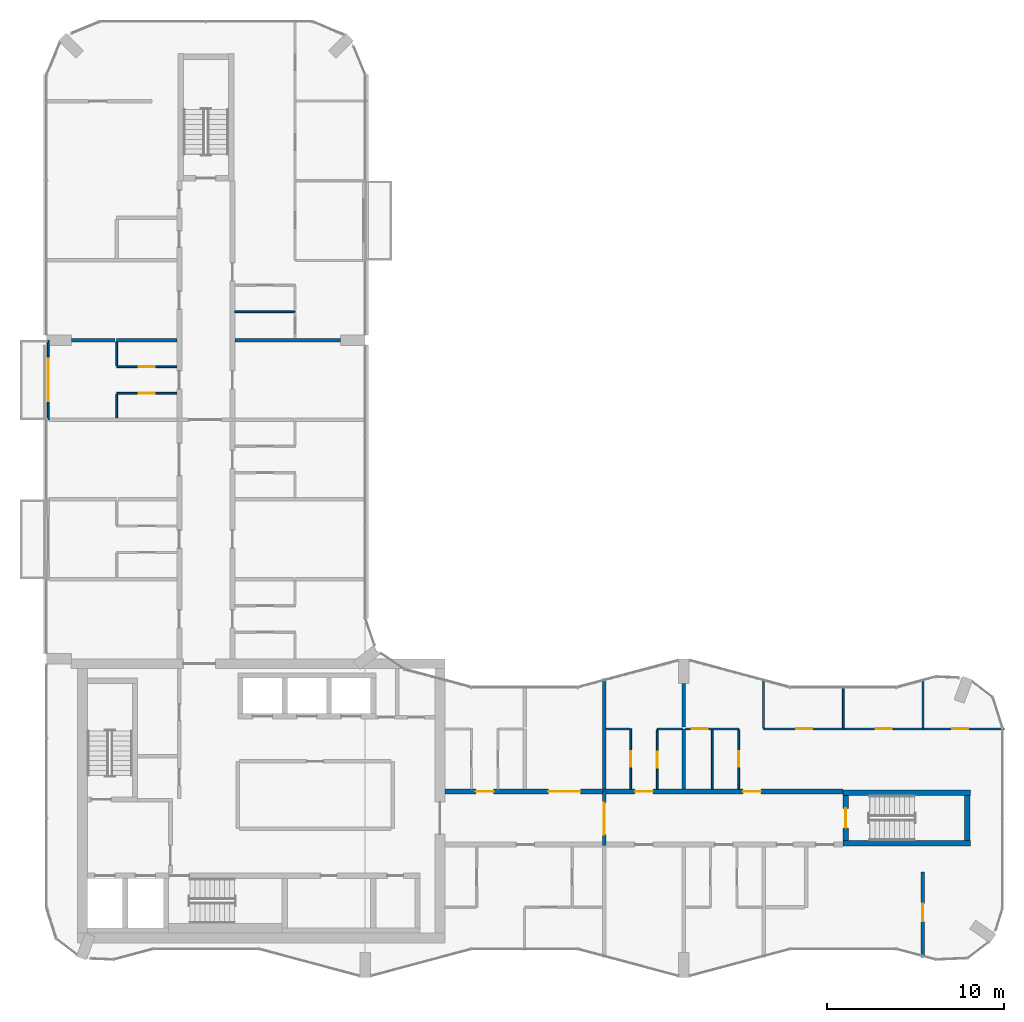
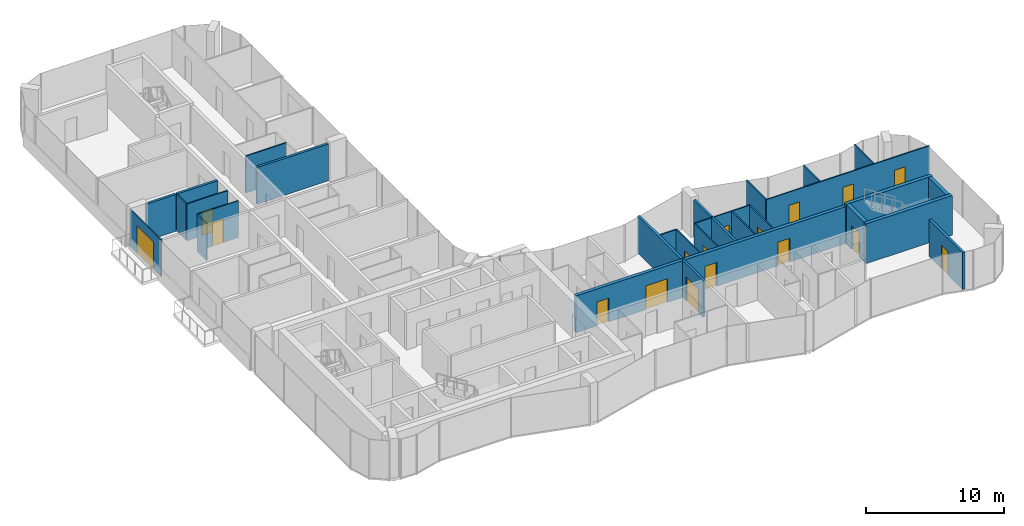
# One storey, part 12 of 16: 30 walls, 17 doors, 17 openings.
"""IFC4 building model written with IfcOpenShell, lengths in metres."""

from ifc_helpers import new_model, si_unit, direction, frame, frame_2d, origin, place, context, subcontext, project, spatial, rectangle, extrude, material, layer, layer_set, type_object, element, fill, save


model = new_model("IFC4")

# Units and contexts
model_context = context("Model", 3, precision=1e-05, world=origin(), true_north=direction((0.0, 1.0)))
body_context = subcontext(model_context, "Body", "Model", "MODEL_VIEW")
ifc_project = project(units=[si_unit("LENGTHUNIT", "METRE"), si_unit("AREAUNIT", "SQUARE_METRE"), si_unit("VOLUMEUNIT", "CUBIC_METRE"), si_unit("PLANEANGLEUNIT", "RADIAN"), si_unit("MASSUNIT", "GRAM", prefix="KILO")], contexts=[model_context])

# Site, building, storey
site_placement = place(None, origin())
site = spatial("IfcSite", under=ifc_project, at=site_placement, CompositionType="ELEMENT")
building_placement = place(site_placement, origin())
building = spatial("IfcBuilding", under=site, at=building_placement, Name="Plateau Cross Towers", CompositionType="ELEMENT")
storey_placement = place(building_placement, frame((0.0, 0.0, 211.89990234375)))
storey = spatial("IfcBuildingStorey", under=building, at=storey_placement, Name="L55", CompositionType="ELEMENT", Elevation=211.89990234375)

# Wall, opening, door
ifc_material_1 = material(Name="Aluminium framed glazing", Category="aluminium")
ifc_layer_1 = layer(ifc_material_1, 0.10009765625)
ifc_layer_set_1 = layer_set([ifc_layer_1], Name="Aluminium framed glazing")
wall_type_1 = type_object("IfcWallType", Name="Balcony screen wall 100", PredefinedType="STANDARD", material=ifc_layer_set_1)
wall_1_placement = place(storey_placement, frame((0.10009765625, 31.5, 0.0), z_axis=(0.0, 0.0, 1.0), x_axis=(0.0, 1.0, 0.0)))
wall_1 = element("IfcWall", 1, at=wall_1_placement, inside=storey, type_object=wall_type_1, Name="Balcony screen wall A-BAL-L55-02", PredefinedType="STANDARD", context=body_context, shape_type="SweptSolid", body=[
    extrude(rectangle(XDim=4.5, YDim=0.10009765625, at=frame_2d((2.25, 0.0))), origin(), (0.0, 0.0, 1.0), 3.25),
])
opening_1_placement = place(wall_1_placement, frame((1.050048828125, 0.0, 0.0)))
opening_1 = element("IfcOpeningElement", 2, at=opening_1_placement, cuts=wall_1, Name="Opening D-B24", PredefinedType="OPENING", context=body_context, shape_type="SweptSolid", body=[
    extrude(rectangle(XDim=2.39990234375, YDim=2.39990234375, at=frame_2d((1.199951171875, 1.199951171875))), frame((0.0, 0.06005859375, 0.0), z_axis=(0.0, -1.0, 0.0), x_axis=(1.0, 0.0, 0.0)), (0.0, 0.0, 1.0), 0.1201171875),
])
ifc_material_2 = material(Name="Aluminium frame, double glazing", Category="aluminium")
door_type_1 = type_object("IfcDoorType", Name="Balcony sliding door 2400", OperationType="NOTDEFINED", PredefinedType="DOOR", material=ifc_material_2)
door_1_placement = place(opening_1_placement, origin())
door_1 = element("IfcDoor", 3, at=door_1_placement, inside=storey, type_object=door_type_1, Name="Balcony door A-BAL-L55-02", OperationType="SINGLE_SWING_LEFT", OverallHeight=2.39990234375, OverallWidth=2.39990234375, PredefinedType="DOOR", context=body_context, shape_type="SweptSolid", body=[
    extrude(rectangle(XDim=2.39990234375, YDim=2.39990234375, at=frame_2d((1.199951171875, 1.199951171875))), frame((0.0, 0.02490234375, 0.0), z_axis=(0.0, -1.0, 0.0), x_axis=(1.0, 0.0, 0.0)), (0.0, 0.0, 1.0), 0.050048828125),
])
fill(opening_1, door_1)

# Wall, openings, doors
ifc_material_3 = material(Name="Concrete C60/75", Category="concrete")
ifc_layer_2 = layer(ifc_material_3, 0.27490234375)
ifc_layer_set_2 = layer_set([ifc_layer_2], Name="Concrete C60/75")
wall_type_2 = type_object("IfcWallType", Name="Corridor wall 275", PredefinedType="SHEAR", material=ifc_layer_set_2)
wall_2_placement = place(storey_placement, frame((22.5, 10.5, 0.0), z_axis=(0.0, 0.0, 1.0), x_axis=(1.0, 0.0, 0.0)))
wall_2 = element("IfcWall", 4, at=wall_2_placement, inside=storey, type_object=wall_type_2, Name="A-cw-S2@L55", PredefinedType="SHEAR", context=body_context, shape_type="SweptSolid", body=[
    extrude(rectangle(XDim=22.5, YDim=0.27490234375, at=frame_2d((11.25, 0.0))), origin(), (0.0, 0.0, 1.0), 3.25),
])
opening_2_placement = place(wall_2_placement, frame((1.75, 0.0, 0.0)))
opening_2 = element("IfcOpeningElement", 5, at=opening_2_placement, cuts=wall_2, Name="Opening 55-06", PredefinedType="OPENING", context=body_context, shape_type="SweptSolid", body=[
    extrude(rectangle(XDim=1.0, YDim=2.10009765625, at=frame_2d((0.5, 1.050048828125))), frame((0.0, 0.1474609375, 0.0), z_axis=(0.0, -1.0, 0.0), x_axis=(1.0, 0.0, 0.0)), (0.0, 0.0, 1.0), 0.294921875),
])
opening_3_placement = place(wall_2_placement, frame((5.85009765625, 0.0, 0.0)))
opening_3 = element("IfcOpeningElement", 6, at=opening_3_placement, cuts=wall_2, Name="Opening 55-07", PredefinedType="OPENING", context=body_context, shape_type="SweptSolid", body=[
    extrude(rectangle(XDim=1.800048828125, YDim=2.10009765625, at=frame_2d((0.89990234375, 1.050048828125))), frame((0.0, 0.1474609375, 0.0), z_axis=(0.0, -1.0, 0.0), x_axis=(1.0, 0.0, 0.0)), (0.0, 0.0, 1.0), 0.294921875),
])
opening_4_placement = place(wall_2_placement, frame((10.75, 0.0, 0.0)))
opening_4 = element("IfcOpeningElement", 7, at=opening_4_placement, cuts=wall_2, Name="Opening 55-08", PredefinedType="OPENING", context=body_context, shape_type="SweptSolid", body=[
    extrude(rectangle(XDim=1.0, YDim=2.10009765625, at=frame_2d((0.5, 1.050048828125))), frame((0.0, 0.1474609375, 0.0), z_axis=(0.0, -1.0, 0.0), x_axis=(1.0, 0.0, 0.0)), (0.0, 0.0, 1.0), 0.294921875),
])
opening_5_placement = place(wall_2_placement, frame((16.85009765625, 0.0, 0.0)))
opening_5 = element("IfcOpeningElement", 8, at=opening_5_placement, cuts=wall_2, Name="Opening 55-09", PredefinedType="OPENING", context=body_context, shape_type="SweptSolid", body=[
    extrude(rectangle(XDim=1.0, YDim=2.10009765625, at=frame_2d((0.5, 1.050048828125))), frame((0.0, 0.1474609375, 0.0), z_axis=(0.0, -1.0, 0.0), x_axis=(1.0, 0.0, 0.0)), (0.0, 0.0, 1.0), 0.294921875),
])
ifc_material_4 = material(Name="Timber, fire-resisting leaf", Category="wood")
door_type_2 = type_object("IfcDoorType", Name="Flat entrance door 1000", OperationType="NOTDEFINED", PredefinedType="DOOR", material=ifc_material_4)
door_2_placement = place(opening_2_placement, origin())
door_2 = element("IfcDoor", 9, at=door_2_placement, inside=storey, type_object=door_type_2, Name="Door 55-06", OperationType="SINGLE_SWING_LEFT", OverallHeight=2.10009765625, OverallWidth=1.0, PredefinedType="DOOR", context=body_context, shape_type="SweptSolid", body=[
    extrude(rectangle(XDim=1.0, YDim=2.10009765625, at=frame_2d((0.5, 1.050048828125))), frame((0.0, 0.02490234375, 0.0), z_axis=(0.0, -1.0, 0.0), x_axis=(1.0, 0.0, 0.0)), (0.0, 0.0, 1.0), 0.050048828125),
])
fill(opening_2, door_2)
door_3_placement = place(opening_4_placement, origin())
door_3 = element("IfcDoor", 10, at=door_3_placement, inside=storey, type_object=door_type_2, Name="Door 55-08", OperationType="SINGLE_SWING_LEFT", OverallHeight=2.10009765625, OverallWidth=1.0, PredefinedType="DOOR", context=body_context, shape_type="SweptSolid", body=[
    extrude(rectangle(XDim=1.0, YDim=2.10009765625, at=frame_2d((0.5, 1.050048828125))), frame((0.0, 0.02490234375, 0.0), z_axis=(0.0, -1.0, 0.0), x_axis=(1.0, 0.0, 0.0)), (0.0, 0.0, 1.0), 0.050048828125),
])
fill(opening_4, door_3)
door_4_placement = place(opening_5_placement, origin())
door_4 = element("IfcDoor", 11, at=door_4_placement, inside=storey, type_object=door_type_2, Name="Door 55-09", OperationType="SINGLE_SWING_RIGHT", OverallHeight=2.10009765625, OverallWidth=1.0, PredefinedType="DOOR", context=body_context, shape_type="SweptSolid", body=[
    extrude(rectangle(XDim=1.0, YDim=2.10009765625, at=frame_2d((0.5, 1.050048828125))), frame((0.0, 0.02490234375, 0.0), z_axis=(0.0, -1.0, 0.0), x_axis=(1.0, 0.0, 0.0)), (0.0, 0.0, 1.0), 0.050048828125),
])
fill(opening_5, door_4)
ifc_material_5 = material(Name="Timber, fire-resisting leaves", Category="wood")
door_type_3 = type_object("IfcDoorType", Name="Flat floor fire door pair 1800", OperationType="NOTDEFINED", PredefinedType="DOOR", material=ifc_material_5)
door_5_placement = place(opening_3_placement, origin())
door_5 = element("IfcDoor", 12, at=door_5_placement, inside=storey, type_object=door_type_3, Name="Door 55-07", OperationType="SINGLE_SWING_LEFT", OverallHeight=2.10009765625, OverallWidth=1.800048828125, PredefinedType="DOOR", context=body_context, shape_type="SweptSolid", body=[
    extrude(rectangle(XDim=1.800048828125, YDim=2.10009765625, at=frame_2d((0.89990234375, 1.050048828125))), frame((0.0, 0.02490234375, 0.0), z_axis=(0.0, -1.0, 0.0), x_axis=(1.0, 0.0, 0.0)), (0.0, 0.0, 1.0), 0.050048828125),
])
fill(opening_3, door_5)

# Walls
ifc_material_6 = material(Name="Gypsum board on steel studs", Category="steel")
ifc_layer_3 = layer(ifc_material_6, 0.10009765625)
ifc_layer_set_3 = layer_set([ifc_layer_3], Name="Gypsum board on steel studs")
wall_type_3 = type_object("IfcWallType", Name="Flat partition 100", PredefinedType="PARTITIONING", material=ifc_layer_set_3)
wall_3_placement = place(storey_placement, frame((32.949951171875, 14.03759765625, 0.0), z_axis=(0.0, 0.0, 1.0), x_axis=(-1.0, 0.0, 0.0)))
element("IfcWall", 13, at=wall_3_placement, inside=storey, type_object=wall_type_3, Name="Partition wall", PredefinedType="PARTITIONING", context=body_context, shape_type="SweptSolid", body=[
    extrude(rectangle(XDim=1.349853515625, YDim=0.10009765625, at=frame_2d((0.6748046875, 0.0))), origin(), (0.0, 0.0, 1.0), 3.25),
])
wall_4_placement = place(storey_placement, frame((35.89990234375, 14.03759765625, 0.0), z_axis=(0.0, 0.0, 1.0), x_axis=(-1.0, 0.0, 0.0)))
element("IfcWall", 14, at=wall_4_placement, inside=storey, type_object=wall_type_3, Name="Partition wall", PredefinedType="PARTITIONING", context=body_context, shape_type="SweptSolid", body=[
    extrude(rectangle(XDim=1.39990234375, YDim=0.10009765625, at=frame_2d((0.699951171875, 0.0))), origin(), (0.0, 0.0, 1.0), 3.25),
])

# Wall, opening, door
wall_5_placement = place(storey_placement, frame((39.10009765625, 14.03759765625, 0.0), z_axis=(0.0, 0.0, 1.0), x_axis=(-1.0, 0.0, 0.0)))
wall_5 = element("IfcWall", 15, at=wall_5_placement, inside=storey, type_object=wall_type_3, Name="Partition wall", PredefinedType="PARTITIONING", context=body_context, shape_type="SweptSolid", body=[
    extrude(rectangle(XDim=3.0, YDim=0.10009765625, at=frame_2d((1.5, 0.0))), origin(), (0.0, 0.0, 1.0), 3.25),
])
opening_6_placement = place(wall_5_placement, frame((1.75, 0.0, 0.0)))
opening_6 = element("IfcOpeningElement", 16, at=opening_6_placement, cuts=wall_5, Name="Opening 55-35", PredefinedType="OPENING", context=body_context, shape_type="SweptSolid", body=[
    extrude(rectangle(XDim=0.89990234375, YDim=2.10009765625, at=frame_2d((0.449951171875, 1.050048828125))), frame((0.0, 0.06005859375, 0.0), z_axis=(0.0, -1.0, 0.0), x_axis=(1.0, 0.0, 0.0)), (0.0, 0.0, 1.0), 0.1201171875),
])
ifc_material_7 = material(Name="Timber leaf", Category="wood")
door_type_4 = type_object("IfcDoorType", Name="Flat room door 900", OperationType="NOTDEFINED", PredefinedType="DOOR", material=ifc_material_7)
door_6_placement = place(opening_6_placement, origin())
door_6 = element("IfcDoor", 17, at=door_6_placement, inside=storey, type_object=door_type_4, Name="Door 55-35", OperationType="SINGLE_SWING_RIGHT", OverallHeight=2.10009765625, OverallWidth=0.89990234375, PredefinedType="DOOR", context=body_context, shape_type="SweptSolid", body=[
    extrude(rectangle(XDim=0.89990234375, YDim=2.10009765625, at=frame_2d((0.449951171875, 1.050048828125))), frame((0.0, 0.02490234375, 0.0), z_axis=(0.0, -1.0, 0.0), x_axis=(1.0, 0.0, 0.0)), (0.0, 0.0, 1.0), 0.050048828125),
])
fill(opening_6, door_6)

# Wall, openings, doors
wall_6_placement = place(storey_placement, frame((40.5, 14.03759765625, 0.0), z_axis=(0.0, 0.0, 1.0), x_axis=(1.0, 0.0, 0.0)))
wall_6 = element("IfcWall", 18, at=wall_6_placement, inside=storey, type_object=wall_type_3, Name="Partition wall", PredefinedType="PARTITIONING", context=body_context, shape_type="SweptSolid", body=[
    extrude(rectangle(XDim=13.580078125, YDim=0.10009765625, at=frame_2d((6.7900390625, 0.0))), origin(), (0.0, 0.0, 1.0), 3.25),
])
opening_7_placement = place(wall_6_placement, frame((1.85009765625, 0.0, 0.0)))
opening_7 = element("IfcOpeningElement", 19, at=opening_7_placement, cuts=wall_6, Name="Opening 55-37", PredefinedType="OPENING", context=body_context, shape_type="SweptSolid", body=[
    extrude(rectangle(XDim=0.89990234375, YDim=2.10009765625, at=frame_2d((0.449951171875, 1.050048828125))), frame((0.0, 0.06005859375, 0.0), z_axis=(0.0, -1.0, 0.0), x_axis=(1.0, 0.0, 0.0)), (0.0, 0.0, 1.0), 0.1201171875),
])
opening_8_placement = place(wall_6_placement, frame((6.35009765625, 0.0, 0.0)))
opening_8 = element("IfcOpeningElement", 20, at=opening_8_placement, cuts=wall_6, Name="Opening 55-38", PredefinedType="OPENING", context=body_context, shape_type="SweptSolid", body=[
    extrude(rectangle(XDim=0.89990234375, YDim=2.10009765625, at=frame_2d((0.449951171875, 1.050048828125))), frame((0.0, 0.06005859375, 0.0), z_axis=(0.0, -1.0, 0.0), x_axis=(1.0, 0.0, 0.0)), (0.0, 0.0, 1.0), 0.1201171875),
])
opening_9_placement = place(wall_6_placement, frame((10.64990234375, 0.0, 0.0)))
opening_9 = element("IfcOpeningElement", 21, at=opening_9_placement, cuts=wall_6, Name="Opening 55-39", PredefinedType="OPENING", context=body_context, shape_type="SweptSolid", body=[
    extrude(rectangle(XDim=0.89990234375, YDim=2.10009765625, at=frame_2d((0.449951171875, 1.050048828125))), frame((0.0, 0.06005859375, 0.0), z_axis=(0.0, -1.0, 0.0), x_axis=(1.0, 0.0, 0.0)), (0.0, 0.0, 1.0), 0.1201171875),
])
door_7_placement = place(opening_7_placement, origin())
door_7 = element("IfcDoor", 22, at=door_7_placement, inside=storey, type_object=door_type_4, Name="Door 55-37", OperationType="SINGLE_SWING_LEFT", OverallHeight=2.10009765625, OverallWidth=0.89990234375, PredefinedType="DOOR", context=body_context, shape_type="SweptSolid", body=[
    extrude(rectangle(XDim=0.89990234375, YDim=2.10009765625, at=frame_2d((0.449951171875, 1.050048828125))), frame((0.0, 0.02490234375, 0.0), z_axis=(0.0, -1.0, 0.0), x_axis=(1.0, 0.0, 0.0)), (0.0, 0.0, 1.0), 0.050048828125),
])
fill(opening_7, door_7)
door_8_placement = place(opening_8_placement, origin())
door_8 = element("IfcDoor", 23, at=door_8_placement, inside=storey, type_object=door_type_4, Name="Door 55-38", OperationType="SINGLE_SWING_RIGHT", OverallHeight=2.10009765625, OverallWidth=0.89990234375, PredefinedType="DOOR", context=body_context, shape_type="SweptSolid", body=[
    extrude(rectangle(XDim=0.89990234375, YDim=2.10009765625, at=frame_2d((0.449951171875, 1.050048828125))), frame((0.0, 0.02490234375, 0.0), z_axis=(0.0, -1.0, 0.0), x_axis=(1.0, 0.0, 0.0)), (0.0, 0.0, 1.0), 0.050048828125),
])
fill(opening_8, door_8)
door_9_placement = place(opening_9_placement, origin())
door_9 = element("IfcDoor", 24, at=door_9_placement, inside=storey, type_object=door_type_4, Name="Door 55-39", OperationType="SINGLE_SWING_RIGHT", OverallHeight=2.10009765625, OverallWidth=0.89990234375, PredefinedType="DOOR", context=body_context, shape_type="SweptSolid", body=[
    extrude(rectangle(XDim=0.89990234375, YDim=2.10009765625, at=frame_2d((0.449951171875, 1.050048828125))), frame((0.0, 0.02490234375, 0.0), z_axis=(0.0, -1.0, 0.0), x_axis=(1.0, 0.0, 0.0)), (0.0, 0.0, 1.0), 0.050048828125),
])
fill(opening_9, door_9)

# Wall, opening, door
wall_7_placement = place(storey_placement, frame((7.362548828125, 33.0, 0.0), z_axis=(0.0, 0.0, 1.0), x_axis=(-1.0, 0.0, 0.0)))
wall_7 = element("IfcWall", 25, at=wall_7_placement, inside=storey, type_object=wall_type_3, Name="Partition wall", PredefinedType="PARTITIONING", context=body_context, shape_type="SweptSolid", body=[
    extrude(rectangle(XDim=3.400146484375, YDim=0.10009765625, at=frame_2d((1.7001953125, 0.0))), origin(), (0.0, 0.0, 1.0), 3.25),
])
opening_10_placement = place(wall_7_placement, frame((1.25, 0.0, 0.0)))
opening_10 = element("IfcOpeningElement", 26, at=opening_10_placement, cuts=wall_7, Name="Opening 55-42", PredefinedType="OPENING", context=body_context, shape_type="SweptSolid", body=[
    extrude(rectangle(XDim=0.89990234375, YDim=2.10009765625, at=frame_2d((0.449951171875, 1.050048828125))), frame((0.0, 0.06005859375, 0.0), z_axis=(0.0, -1.0, 0.0), x_axis=(1.0, 0.0, 0.0)), (0.0, 0.0, 1.0), 0.1201171875),
])
door_10_placement = place(opening_10_placement, origin())
door_10 = element("IfcDoor", 27, at=door_10_placement, inside=storey, type_object=door_type_4, Name="Door 55-42", OperationType="SINGLE_SWING_LEFT", OverallHeight=2.10009765625, OverallWidth=0.89990234375, PredefinedType="DOOR", context=body_context, shape_type="SweptSolid", body=[
    extrude(rectangle(XDim=0.89990234375, YDim=2.10009765625, at=frame_2d((0.449951171875, 1.050048828125))), frame((0.0, 0.02490234375, 0.0), z_axis=(0.0, -1.0, 0.0), x_axis=(1.0, 0.0, 0.0)), (0.0, 0.0, 1.0), 0.050048828125),
])
fill(opening_10, door_10)

wall_8_placement = place(storey_placement, frame((3.96240234375, 34.5, 0.0), z_axis=(0.0, 0.0, 1.0), x_axis=(1.0, 0.0, 0.0)))
wall_8 = element("IfcWall", 28, at=wall_8_placement, inside=storey, type_object=wall_type_3, Name="Partition wall", PredefinedType="PARTITIONING", context=body_context, shape_type="SweptSolid", body=[
    extrude(rectangle(XDim=3.400146484375, YDim=0.10009765625, at=frame_2d((1.7001953125, 0.0))), origin(), (0.0, 0.0, 1.0), 3.25),
])
opening_11_placement = place(wall_8_placement, frame((1.25, 0.0, 0.0)))
opening_11 = element("IfcOpeningElement", 29, at=opening_11_placement, cuts=wall_8, Name="Opening 55-43", PredefinedType="OPENING", context=body_context, shape_type="SweptSolid", body=[
    extrude(rectangle(XDim=0.89990234375, YDim=2.10009765625, at=frame_2d((0.449951171875, 1.050048828125))), frame((0.0, 0.06005859375, 0.0), z_axis=(0.0, -1.0, 0.0), x_axis=(1.0, 0.0, 0.0)), (0.0, 0.0, 1.0), 0.1201171875),
])
door_11_placement = place(opening_11_placement, origin())
door_11 = element("IfcDoor", 30, at=door_11_placement, inside=storey, type_object=door_type_4, Name="Door 55-43", OperationType="SINGLE_SWING_LEFT", OverallHeight=2.10009765625, OverallWidth=0.89990234375, PredefinedType="DOOR", context=body_context, shape_type="SweptSolid", body=[
    extrude(rectangle(XDim=0.89990234375, YDim=2.10009765625, at=frame_2d((0.449951171875, 1.050048828125))), frame((0.0, 0.02490234375, 0.0), z_axis=(0.0, -1.0, 0.0), x_axis=(1.0, 0.0, 0.0)), (0.0, 0.0, 1.0), 0.050048828125),
])
fill(opening_11, door_11)

# Walls
wall_9_placement = place(storey_placement, frame((14.03759765625, 37.60009765625, 0.0), z_axis=(0.0, 0.0, 1.0), x_axis=(-1.0, 0.0, 0.0)))
element("IfcWall", 31, at=wall_9_placement, inside=storey, type_object=wall_type_3, Name="Partition wall", PredefinedType="PARTITIONING", context=body_context, shape_type="SweptSolid", body=[
    extrude(rectangle(XDim=3.400146484375, YDim=0.10009765625, at=frame_2d((1.7001953125, 0.0))), origin(), (0.0, 0.0, 1.0), 3.25),
])
for number, where, z_axis, x_axis, name in (
    (32, (3.96240234375, 32.949951171875, 0.0), (0.0, 0.0, 1.0), (0.0, -1.0, 0.0), "Partition wall"),
    (33, (3.96240234375, 35.89990234375, 0.0), (0.0, 0.0, 1.0), (0.0, -1.0, 0.0), "Partition wall"),
):
    element("IfcWall", number, at=place(storey_placement, frame(where, z_axis=z_axis, x_axis=x_axis)), inside=storey, type_object=wall_type_3, Name=name, PredefinedType="PARTITIONING", context=body_context, shape_type="SweptSolid", body=[
        extrude(rectangle(XDim=1.349853515625, YDim=0.10009765625, at=frame_2d((0.6748046875, 0.0))), origin(), (0.0, 0.0, 1.0), 3.25),
    ])

# Wall, opening, door
wall_10_placement = place(storey_placement, frame((33.0, 10.637451171875, 0.0), z_axis=(0.0, 0.0, 1.0), x_axis=(0.0, 1.0, 0.0)))
wall_10 = element("IfcWall", 34, at=wall_10_placement, inside=storey, type_object=wall_type_3, Name="Partition wall", PredefinedType="PARTITIONING", context=body_context, shape_type="SweptSolid", body=[
    extrude(rectangle(XDim=3.400146484375, YDim=0.10009765625, at=frame_2d((1.7001953125, 0.0))), origin(), (0.0, 0.0, 1.0), 3.25),
])
opening_12_placement = place(wall_10_placement, frame((1.25, 0.0, 0.0)))
opening_12 = element("IfcOpeningElement", 35, at=opening_12_placement, cuts=wall_10, Name="Opening 55-33", PredefinedType="OPENING", context=body_context, shape_type="SweptSolid", body=[
    extrude(rectangle(XDim=0.89990234375, YDim=2.10009765625, at=frame_2d((0.449951171875, 1.050048828125))), frame((0.0, 0.06005859375, 0.0), z_axis=(0.0, -1.0, 0.0), x_axis=(1.0, 0.0, 0.0)), (0.0, 0.0, 1.0), 0.1201171875),
])
door_12_placement = place(opening_12_placement, origin())
door_12 = element("IfcDoor", 36, at=door_12_placement, inside=storey, type_object=door_type_4, Name="Door 55-33", OperationType="SINGLE_SWING_LEFT", OverallHeight=2.10009765625, OverallWidth=0.89990234375, PredefinedType="DOOR", context=body_context, shape_type="SweptSolid", body=[
    extrude(rectangle(XDim=0.89990234375, YDim=2.10009765625, at=frame_2d((0.449951171875, 1.050048828125))), frame((0.0, 0.02490234375, 0.0), z_axis=(0.0, -1.0, 0.0), x_axis=(1.0, 0.0, 0.0)), (0.0, 0.0, 1.0), 0.050048828125),
])
fill(opening_12, door_12)

wall_11_placement = place(storey_placement, frame((34.5, 13.987548828125, 0.0), z_axis=(0.0, 0.0, 1.0), x_axis=(0.0, -1.0, 0.0)))
wall_11 = element("IfcWall", 37, at=wall_11_placement, inside=storey, type_object=wall_type_3, Name="Partition wall", PredefinedType="PARTITIONING", context=body_context, shape_type="SweptSolid", body=[
    extrude(rectangle(XDim=3.35009765625, YDim=0.10009765625, at=frame_2d((1.675048828125, 0.0))), origin(), (0.0, 0.0, 1.0), 3.25),
])
opening_13_placement = place(wall_11_placement, frame((1.25, 0.0, 0.0)))
opening_13 = element("IfcOpeningElement", 38, at=opening_13_placement, cuts=wall_11, Name="Opening 55-34", PredefinedType="OPENING", context=body_context, shape_type="SweptSolid", body=[
    extrude(rectangle(XDim=0.89990234375, YDim=2.10009765625, at=frame_2d((0.449951171875, 1.050048828125))), frame((0.0, 0.06005859375, 0.0), z_axis=(0.0, -1.0, 0.0), x_axis=(1.0, 0.0, 0.0)), (0.0, 0.0, 1.0), 0.1201171875),
])
door_13_placement = place(opening_13_placement, origin())
door_13 = element("IfcDoor", 39, at=door_13_placement, inside=storey, type_object=door_type_4, Name="Door 55-34", OperationType="SINGLE_SWING_RIGHT", OverallHeight=2.10009765625, OverallWidth=0.89990234375, PredefinedType="DOOR", context=body_context, shape_type="SweptSolid", body=[
    extrude(rectangle(XDim=0.89990234375, YDim=2.10009765625, at=frame_2d((0.449951171875, 1.050048828125))), frame((0.0, 0.02490234375, 0.0), z_axis=(0.0, -1.0, 0.0), x_axis=(1.0, 0.0, 0.0)), (0.0, 0.0, 1.0), 0.050048828125),
])
fill(opening_13, door_13)

# Wall
wall_12_placement = place(storey_placement, frame((37.60009765625, 10.637451171875, 0.0), z_axis=(0.0, 0.0, 1.0), x_axis=(0.0, 1.0, 0.0)))
element("IfcWall", 40, at=wall_12_placement, inside=storey, type_object=wall_type_3, Name="Partition wall", PredefinedType="PARTITIONING", context=body_context, shape_type="SweptSolid", body=[
    extrude(rectangle(XDim=3.35009765625, YDim=0.10009765625, at=frame_2d((1.675048828125, 0.0))), origin(), (0.0, 0.0, 1.0), 3.25),
])

# Wall, opening, door
wall_13_placement = place(storey_placement, frame((39.10009765625, 10.637451171875, 0.0), z_axis=(0.0, 0.0, 1.0), x_axis=(0.0, 1.0, 0.0)))
wall_13 = element("IfcWall", 41, at=wall_13_placement, inside=storey, type_object=wall_type_3, Name="Partition wall", PredefinedType="PARTITIONING", context=body_context, shape_type="SweptSolid", body=[
    extrude(rectangle(XDim=3.35009765625, YDim=0.10009765625, at=frame_2d((1.675048828125, 0.0))), origin(), (0.0, 0.0, 1.0), 3.25),
])
opening_14_placement = place(wall_13_placement, frame((1.25, 0.0, 0.0)))
opening_14 = element("IfcOpeningElement", 42, at=opening_14_placement, cuts=wall_13, Name="Opening 55-36", PredefinedType="OPENING", context=body_context, shape_type="SweptSolid", body=[
    extrude(rectangle(XDim=0.89990234375, YDim=2.10009765625, at=frame_2d((0.449951171875, 1.050048828125))), frame((0.0, 0.06005859375, 0.0), z_axis=(0.0, -1.0, 0.0), x_axis=(1.0, 0.0, 0.0)), (0.0, 0.0, 1.0), 0.1201171875),
])
door_14_placement = place(opening_14_placement, origin())
door_14 = element("IfcDoor", 43, at=door_14_placement, inside=storey, type_object=door_type_4, Name="Door 55-36", OperationType="SINGLE_SWING_RIGHT", OverallHeight=2.10009765625, OverallWidth=0.89990234375, PredefinedType="DOOR", context=body_context, shape_type="SweptSolid", body=[
    extrude(rectangle(XDim=0.89990234375, YDim=2.10009765625, at=frame_2d((0.449951171875, 1.050048828125))), frame((0.0, 0.02490234375, 0.0), z_axis=(0.0, -1.0, 0.0), x_axis=(1.0, 0.0, 0.0)), (0.0, 0.0, 1.0), 0.050048828125),
])
fill(opening_14, door_14)

# Walls
wall_14_placement = place(storey_placement, frame((40.5, 16.877685546875, 0.0), z_axis=(0.0, 0.0, 1.0), x_axis=(0.0, -1.0, 0.0)))
element("IfcWall", 44, at=wall_14_placement, inside=storey, type_object=wall_type_3, Name="Partition wall", PredefinedType="PARTITIONING", context=body_context, shape_type="SweptSolid", body=[
    extrude(rectangle(XDim=2.790283203125, YDim=0.10009765625, at=frame_2d((1.39501953125, 0.0))), origin(), (0.0, 0.0, 1.0), 3.25),
])
wall_15_placement = place(storey_placement, frame((45.0, 14.08740234375, 0.0), z_axis=(0.0, 0.0, 1.0), x_axis=(0.0, 1.0, 0.0)))
element("IfcWall", 45, at=wall_15_placement, inside=storey, type_object=wall_type_3, Name="Partition wall", PredefinedType="PARTITIONING", context=body_context, shape_type="SweptSolid", body=[
    extrude(rectangle(XDim=2.3857421875, YDim=0.10009765625, at=frame_2d((1.19287109375, 0.0))), origin(), (0.0, 0.0, 1.0), 3.25),
])
wall_16_placement = place(storey_placement, frame((49.5, 14.08740234375, 0.0), z_axis=(0.0, 0.0, 1.0), x_axis=(0.0, 1.0, 0.0)))
element("IfcWall", 46, at=wall_16_placement, inside=storey, type_object=wall_type_3, Name="Partition wall", PredefinedType="PARTITIONING", context=body_context, shape_type="SweptSolid", body=[
    extrude(rectangle(XDim=2.790283203125, YDim=0.10009765625, at=frame_2d((1.39501953125, 0.0))), origin(), (0.0, 0.0, 1.0), 3.25),
])
ifc_material_8 = material(Name="Gypsum board on steel studs, two layers each side", Category="steel")
ifc_layer_4 = layer(ifc_material_8, 0.199951171875)
ifc_layer_set_4 = layer_set([ifc_layer_4], Name="Gypsum board on steel studs, two layers each side")
wall_type_4 = type_object("IfcWallType", Name="Flat party wall 200", PredefinedType="PARTITIONING", material=ifc_layer_set_4)
wall_17_placement = place(storey_placement, frame((7.362548828125, 36.0, 0.0), z_axis=(0.0, 0.0, 1.0), x_axis=(-1.0, 0.0, 0.0)))
element("IfcWall", 47, at=wall_17_placement, inside=storey, type_object=wall_type_4, Name="Party wall", PredefinedType="PARTITIONING", context=body_context, shape_type="SweptSolid", body=[
    extrude(rectangle(XDim=3.400146484375, YDim=0.199951171875, at=frame_2d((1.7001953125, 0.0))), origin(), (0.0, 0.0, 1.0), 3.25),
])
wall_18_placement = place(storey_placement, frame((16.60009765625, 36.0, 0.0), z_axis=(0.0, 0.0, 1.0), x_axis=(-1.0, 0.0, 0.0)))
element("IfcWall", 48, at=wall_18_placement, inside=storey, type_object=wall_type_4, Name="Party wall", PredefinedType="PARTITIONING", context=body_context, shape_type="SweptSolid", body=[
    extrude(rectangle(XDim=5.962646484375, YDim=0.199951171875, at=frame_2d((2.9814453125, 0.0))), origin(), (0.0, 0.0, 1.0), 3.25),
])
wall_19_placement = place(storey_placement, frame((1.39990234375, 36.0, 0.0), z_axis=(0.0, 0.0, 1.0), x_axis=(1.0, 0.0, 0.0)))
element("IfcWall", 49, at=wall_19_placement, inside=storey, type_object=wall_type_4, Name="Party wall", PredefinedType="PARTITIONING", context=body_context, shape_type="SweptSolid", body=[
    extrude(rectangle(XDim=2.462646484375, YDim=0.199951171875, at=frame_2d((1.2314453125, 0.0))), origin(), (0.0, 0.0, 1.0), 3.25),
])
wall_20_placement = place(storey_placement, frame((31.5, 10.637451171875, 0.0), z_axis=(0.0, 0.0, 1.0), x_axis=(0.0, 1.0, 0.0)))
element("IfcWall", 50, at=wall_20_placement, inside=storey, type_object=wall_type_4, Name="Party wall", PredefinedType="PARTITIONING", context=body_context, shape_type="SweptSolid", body=[
    extrude(rectangle(XDim=6.240234375, YDim=0.199951171875, at=frame_2d((3.1201171875, 0.0))), origin(), (0.0, 0.0, 1.0), 3.25),
])
wall_21_placement = place(storey_placement, frame((36.0, 16.60009765625, 0.0), z_axis=(0.0, 0.0, 1.0), x_axis=(0.0, -1.0, 0.0)))
element("IfcWall", 51, at=wall_21_placement, inside=storey, type_object=wall_type_4, Name="Party wall", PredefinedType="PARTITIONING", context=body_context, shape_type="SweptSolid", body=[
    extrude(rectangle(XDim=2.462646484375, YDim=0.199951171875, at=frame_2d((1.2314453125, 0.0))), origin(), (0.0, 0.0, 1.0), 3.25),
])
wall_22_placement = place(storey_placement, frame((36.0, 10.637451171875, 0.0), z_axis=(0.0, 0.0, 1.0), x_axis=(0.0, 1.0, 0.0)))
element("IfcWall", 52, at=wall_22_placement, inside=storey, type_object=wall_type_4, Name="Party wall", PredefinedType="PARTITIONING", context=body_context, shape_type="SweptSolid", body=[
    extrude(rectangle(XDim=3.400146484375, YDim=0.199951171875, at=frame_2d((1.7001953125, 0.0))), origin(), (0.0, 0.0, 1.0), 3.25),
])

# Wall, opening, door
wall_23_placement = place(storey_placement, frame((49.5, 1.122314453125, 0.0), z_axis=(0.0, 0.0, 1.0), x_axis=(0.0, 1.0, 0.0)))
wall_23 = element("IfcWall", 53, at=wall_23_placement, inside=storey, type_object=wall_type_4, Name="Party wall", PredefinedType="PARTITIONING", context=body_context, shape_type="SweptSolid", body=[
    extrude(rectangle(XDim=4.82763671875, YDim=0.199951171875, at=frame_2d((2.413818359375, 0.0))), origin(), (0.0, 0.0, 1.0), 3.25),
])
opening_15_placement = place(wall_23_placement, frame((2.050048828125, 0.0, 0.0)))
opening_15 = element("IfcOpeningElement", 54, at=opening_15_placement, cuts=wall_23, Name="Opening 55-24", PredefinedType="OPENING", context=body_context, shape_type="SweptSolid", body=[
    extrude(rectangle(XDim=1.0, YDim=2.10009765625, at=frame_2d((0.5, 1.050048828125))), frame((0.0, 0.10986328125, 0.0), z_axis=(0.0, -1.0, 0.0), x_axis=(1.0, 0.0, 0.0)), (0.0, 0.0, 1.0), 0.219970703125),
])
door_15_placement = place(opening_15_placement, origin())
door_15 = element("IfcDoor", 55, at=door_15_placement, inside=storey, type_object=door_type_2, Name="Door 55-24", OperationType="SINGLE_SWING_RIGHT", OverallHeight=2.10009765625, OverallWidth=1.0, PredefinedType="DOOR", context=body_context, shape_type="SweptSolid", body=[
    extrude(rectangle(XDim=1.0, YDim=2.10009765625, at=frame_2d((0.5, 1.050048828125))), frame((0.0, 0.02490234375, 0.0), z_axis=(0.0, -1.0, 0.0), x_axis=(1.0, 0.0, 0.0)), (0.0, 0.0, 1.0), 0.050048828125),
])
fill(opening_15, door_15)

wall_24_placement = place(storey_placement, frame((31.5, 7.46240234375, 0.0), z_axis=(0.0, 0.0, 1.0), x_axis=(0.0, 1.0, 0.0)))
wall_24 = element("IfcWall", 56, at=wall_24_placement, inside=storey, type_object=wall_type_4, Name="Party wall", PredefinedType="PARTITIONING", context=body_context, shape_type="SweptSolid", body=[
    extrude(rectangle(XDim=3.0751953125, YDim=0.199951171875, at=frame_2d((1.53759765625, 0.0))), origin(), (0.0, 0.0, 1.0), 3.25),
])
opening_16_placement = place(wall_24_placement, frame((0.60009765625, 0.0, 0.0)))
opening_16 = element("IfcOpeningElement", 57, at=opening_16_placement, cuts=wall_24, Name="Opening 55-22", PredefinedType="OPENING", context=body_context, shape_type="SweptSolid", body=[
    extrude(rectangle(XDim=1.800048828125, YDim=2.10009765625, at=frame_2d((0.89990234375, 1.050048828125))), frame((0.0, 0.10986328125, 0.0), z_axis=(0.0, -1.0, 0.0), x_axis=(1.0, 0.0, 0.0)), (0.0, 0.0, 1.0), 0.219970703125),
])
door_16_placement = place(opening_16_placement, origin())
door_16 = element("IfcDoor", 58, at=door_16_placement, inside=storey, type_object=door_type_3, Name="Door 55-22", OperationType="SINGLE_SWING_LEFT", OverallHeight=2.10009765625, OverallWidth=1.800048828125, PredefinedType="DOOR", context=body_context, shape_type="SweptSolid", body=[
    extrude(rectangle(XDim=1.800048828125, YDim=2.10009765625, at=frame_2d((0.89990234375, 1.050048828125))), frame((0.0, 0.02490234375, 0.0), z_axis=(0.0, -1.0, 0.0), x_axis=(1.0, 0.0, 0.0)), (0.0, 0.0, 1.0), 0.050048828125),
])
fill(opening_16, door_16)

ifc_layer_5 = layer(ifc_material_3, 0.300048828125)
ifc_layer_set_5 = layer_set([ifc_layer_5], Name="Concrete C60/75")
wall_type_5 = type_object("IfcWallType", Name="Stair tower wall 300", PredefinedType="SHEAR", material=ifc_layer_set_5)
wall_25_placement = place(storey_placement, frame((45.14990234375, 7.72509765625, 0.0), z_axis=(0.0, 0.0, 1.0), x_axis=(0.0, 1.0, 0.0)))
wall_25 = element("IfcWall", 59, at=wall_25_placement, inside=storey, type_object=wall_type_5, Name="A-end-E-W@L55", PredefinedType="SHEAR", context=body_context, shape_type="SweptSolid", body=[
    extrude(rectangle(XDim=2.5498046875, YDim=0.300048828125, at=frame_2d((1.27490234375, 0.0))), origin(), (0.0, 0.0, 1.0), 3.5),
])
opening_17_placement = place(wall_25_placement, frame((0.72509765625, 0.0, 0.0)))
opening_17 = element("IfcOpeningElement", 60, at=opening_17_placement, cuts=wall_25, Name="Opening SD", PredefinedType="OPENING", context=body_context, shape_type="SweptSolid", body=[
    extrude(rectangle(XDim=1.10009765625, YDim=2.10009765625, at=frame_2d((0.550048828125, 1.050048828125))), frame((0.0, 0.159912109375, 0.0), z_axis=(0.0, -1.0, 0.0), x_axis=(1.0, 0.0, 0.0)), (0.0, 0.0, 1.0), 0.320068359375),
])
ifc_material_9 = material(Name="Steel, fire-resisting leaf", Category="steel")
door_type_5 = type_object("IfcDoorType", Name="Stair door 1100", OperationType="NOTDEFINED", PredefinedType="DOOR", material=ifc_material_9)
door_17_placement = place(opening_17_placement, origin())
door_17 = element("IfcDoor", 61, at=door_17_placement, inside=storey, type_object=door_type_5, Name="Stair door SD", OperationType="SINGLE_SWING_LEFT", OverallHeight=2.10009765625, OverallWidth=1.10009765625, PredefinedType="DOOR", context=body_context, shape_type="SweptSolid", body=[
    extrude(rectangle(XDim=1.10009765625, YDim=2.10009765625, at=frame_2d((0.550048828125, 1.050048828125))), frame((0.0, 0.02490234375, 0.0), z_axis=(0.0, -1.0, 0.0), x_axis=(1.0, 0.0, 0.0)), (0.0, 0.0, 1.0), 0.050048828125),
])
fill(opening_17, door_17)

# Walls
wall_26_placement = place(storey_placement, frame((52.0, 7.72509765625, 0.0), z_axis=(0.0, 0.0, 1.0), x_axis=(0.0, 1.0, 0.0)))
element("IfcWall", 62, at=wall_26_placement, inside=storey, type_object=wall_type_5, Name="A-end-E-E@L55", PredefinedType="SHEAR", context=body_context, shape_type="SweptSolid", body=[
    extrude(rectangle(XDim=2.5498046875, YDim=0.300048828125, at=frame_2d((1.27490234375, 0.0))), origin(), (0.0, 0.0, 1.0), 3.5),
])
for number, where, z_axis, x_axis, name in (
    (63, (45.0, 7.574951171875, 0.0), (0.0, 0.0, 1.0), (1.0, 0.0, 0.0), "A-end-E-S@L55"),
    (64, (45.0, 10.425048828125, 0.0), (0.0, 0.0, 1.0), (1.0, 0.0, 0.0), "A-end-E-N@L55"),
):
    element("IfcWall", number, at=place(storey_placement, frame(where, z_axis=z_axis, x_axis=x_axis)), inside=storey, type_object=wall_type_5, Name=name, PredefinedType="SHEAR", context=body_context, shape_type="SweptSolid", body=[
        extrude(rectangle(XDim=7.199951171875, YDim=0.300048828125, at=frame_2d((3.60009765625, 0.0))), origin(), (0.0, 0.0, 1.0), 3.5),
    ])

save(model, "model.ifc")
